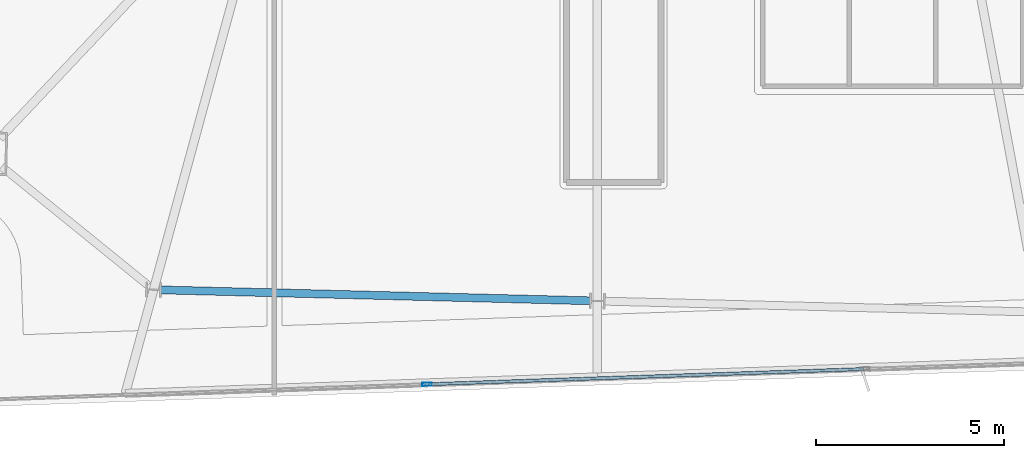
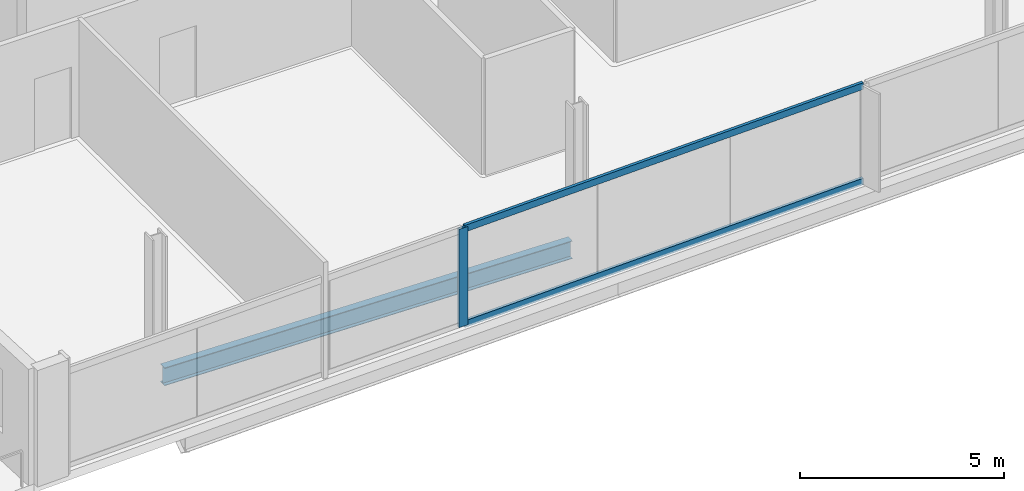
# One storey, part 4 of 23: 3 members, 1 beam, 1 element without a shape of its own.
"""IFC4 building model written with IfcOpenShell, lengths in metres."""

from ifc_helpers import new_model, si_unit, direction, frame, origin, origin_2d, place, context, subcontext, project, spatial, hollow_rectangle, i_section, extrude, material, material_profile, profile_set, type_object, element, aggregate, save


model = new_model("IFC4")

# Units and contexts
model_context = context("Model", 3, precision=1e-05, world=origin(), true_north=direction((0.0, 1.0)))
body_context = subcontext(model_context, "Body", "Model", "MODEL_VIEW")
ifc_project = project(units=[si_unit("LENGTHUNIT", "METRE"), si_unit("AREAUNIT", "SQUARE_METRE"), si_unit("VOLUMEUNIT", "CUBIC_METRE"), si_unit("PLANEANGLEUNIT", "RADIAN"), si_unit("MASSUNIT", "GRAM", prefix="KILO")], contexts=[model_context])

# Site, building, storey
site_placement = place(None, origin())
site = spatial("IfcSite", under=ifc_project, at=site_placement, CompositionType="ELEMENT")
building_placement = place(site_placement, origin())
building = spatial("IfcBuilding", under=site, at=building_placement, Name="Haldenkirk Collegiate Tower", CompositionType="ELEMENT")
storey_placement = place(building_placement, frame((0.0, 0.0, 336.449951171875)))
storey = spatial("IfcBuildingStorey", under=building, at=storey_placement, Name="L85", CompositionType="ELEMENT", Elevation=336.449951171875)

# Beam
ifc_material_1 = material(Name="Steel ASTM A992 Grade 50", Category="steel")
ifc_material_profile_1 = material_profile(ifc_material_1, i_section(OverallWidth=0.2099609375, OverallDepth=0.537109375, WebThickness=0.010986328125, FlangeThickness=0.017333984375, at=origin_2d()), Name="W21X68")
ifc_profile_set_1 = profile_set([ifc_material_profile_1], Name="Steel ASTM A992 Grade 50")
beam_type = type_object("IfcBeamType", Name="BM-SPANDREL-W21X68", PredefinedType="SPANDREL", material=ifc_profile_set_1)
beam_placement = place(storey_placement, frame((23.984375, 6.247802734375, -0.528564453125), z_axis=(0.99967950041, -0.02531593293, 0.0), x_axis=(0.02531593293, 0.99967950041, 0.0)))
element("IfcBeam", 1, at=beam_placement, inside=storey, type_object=beam_type, Name="L85 perimeter spandrel beam 14", PredefinedType="SPANDREL", context=body_context, shape_type="SweptSolid", body=[
    extrude(i_section(OverallWidth=0.2099609375, OverallDepth=0.537109375, WebThickness=0.010986328125, FlangeThickness=0.017333984375, at=origin_2d()), origin(), (0.0, 0.0, 1.0), 11.39892578125),
])

# Curtain wall, members
ifc_material_2 = material(Name="Anodised architectural bronze aluminium", Category="aluminium")
curtain_wall_type = type_object("IfcCurtainWallType", Name="CW-SYS1B-CONVEX-HI", PredefinedType="USERDEFINED", material=ifc_material_2)
curtain_wall_placement = place(storey_placement, origin())
curtain_wall = element("IfcCurtainWall", 2, at=curtain_wall_placement, inside=storey, type_object=curtain_wall_type, Name="L85 Upper tower high-wind convex bronze unitised curtain wall", ObjectType="UNITISED CURTAIN WALL", PredefinedType="USERDEFINED")
ifc_material_profile_2 = material_profile(ifc_material_2, hollow_rectangle(XDim=0.0849609375, YDim=0.25, WallThickness=0.0048828125, at=origin_2d()), Name="CW-MUL-1B")
ifc_profile_set_2 = profile_set([ifc_material_profile_2], Name="Anodised architectural bronze aluminium")
member_type_1 = type_object("IfcMemberType", Name="CW-MUL-1B", PredefinedType="MULLION", material=ifc_profile_set_2)
member_1_placement = place(storey_placement, frame((31.048583984375, 3.74365234375, 0.0), z_axis=(0.0, 0.0, 1.0), x_axis=(0.034901844415, -0.999390745032, 0.0)))
member_1 = element("IfcMember", 3, at=member_1_placement, type_object=member_type_1, Name="CW-1B mullion 3", PredefinedType="MULLION", context=body_context, shape_type="SweptSolid", body=[
    extrude(hollow_rectangle(XDim=0.0849609375, YDim=0.25, WallThickness=0.0048828125, at=origin_2d()), origin(), (0.0, 0.0, 1.0), 2.947998046875),
])
ifc_material_profile_3 = material_profile(ifc_material_2, hollow_rectangle(XDim=0.0849609375, YDim=0.199951171875, WallThickness=0.0048828125, at=origin_2d()), Name="CW-TRN-1B")
ifc_profile_set_3 = profile_set([ifc_material_profile_3], Name="Anodised architectural bronze aluminium")
member_type_2 = type_object("IfcMemberType", Name="CW-TRN-1B", PredefinedType="USERDEFINED", material=ifc_profile_set_3)
member_2_placement = place(storey_placement, frame((42.6240234375, 4.14794921875, 0.04248046875), z_axis=(-0.999390548236, -0.034907479087, 0.0), x_axis=(0.034907479087, -0.999390548236, 0.0)))
member_2 = element("IfcMember", 4, at=member_2_placement, type_object=member_type_2, Name="CW-1B transom 2.1", ObjectType="TRANSOM", PredefinedType="USERDEFINED", context=body_context, shape_type="SweptSolid", body=[
    extrude(hollow_rectangle(XDim=0.0849609375, YDim=0.199951171875, WallThickness=0.0048828125, at=origin_2d()), origin(), (0.0, 0.0, 1.0), 11.5400390625),
])
member_3_placement = place(storey_placement, frame((42.6240234375, 4.14794921875, 2.905517578125), z_axis=(-0.999390548236, -0.034907479087, 0.0), x_axis=(0.034907479087, -0.999390548236, 0.0)))
member_3 = element("IfcMember", 5, at=member_3_placement, type_object=member_type_2, Name="CW-1B transom 2.2", ObjectType="TRANSOM", PredefinedType="USERDEFINED", context=body_context, shape_type="SweptSolid", body=[
    extrude(hollow_rectangle(XDim=0.0849609375, YDim=0.199951171875, WallThickness=0.0048828125, at=origin_2d()), origin(), (0.0, 0.0, 1.0), 11.5400390625),
])
aggregate(curtain_wall, [member_1, member_2, member_3])

save(model, "model.ifc")
